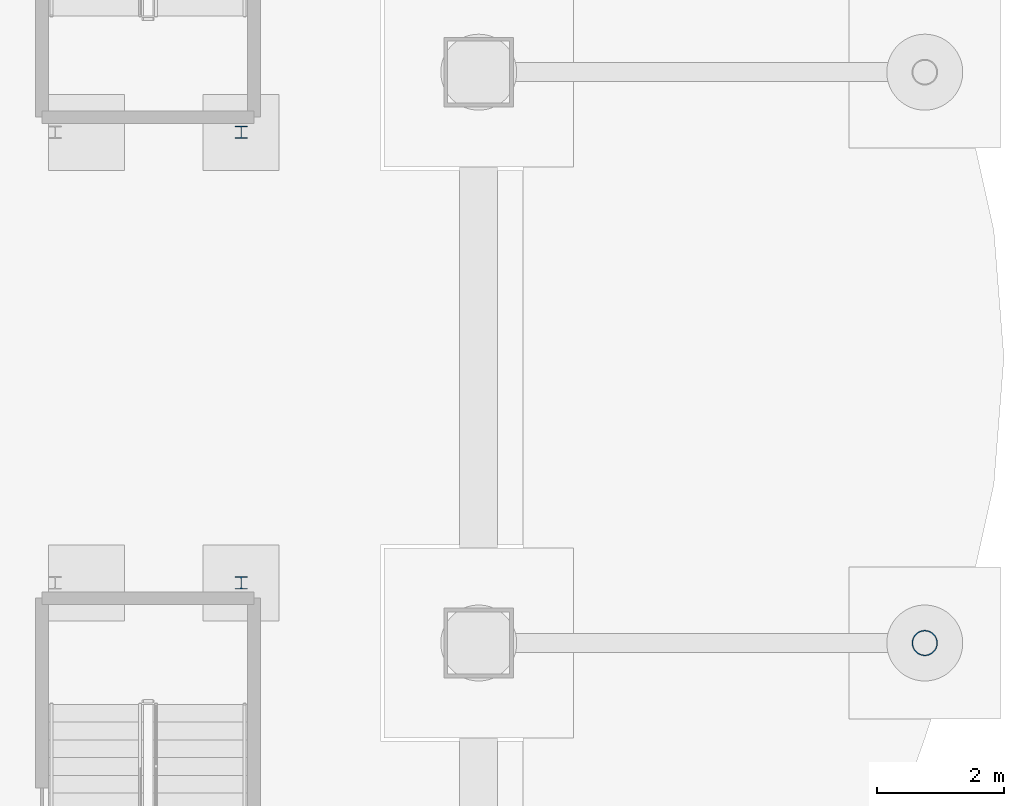
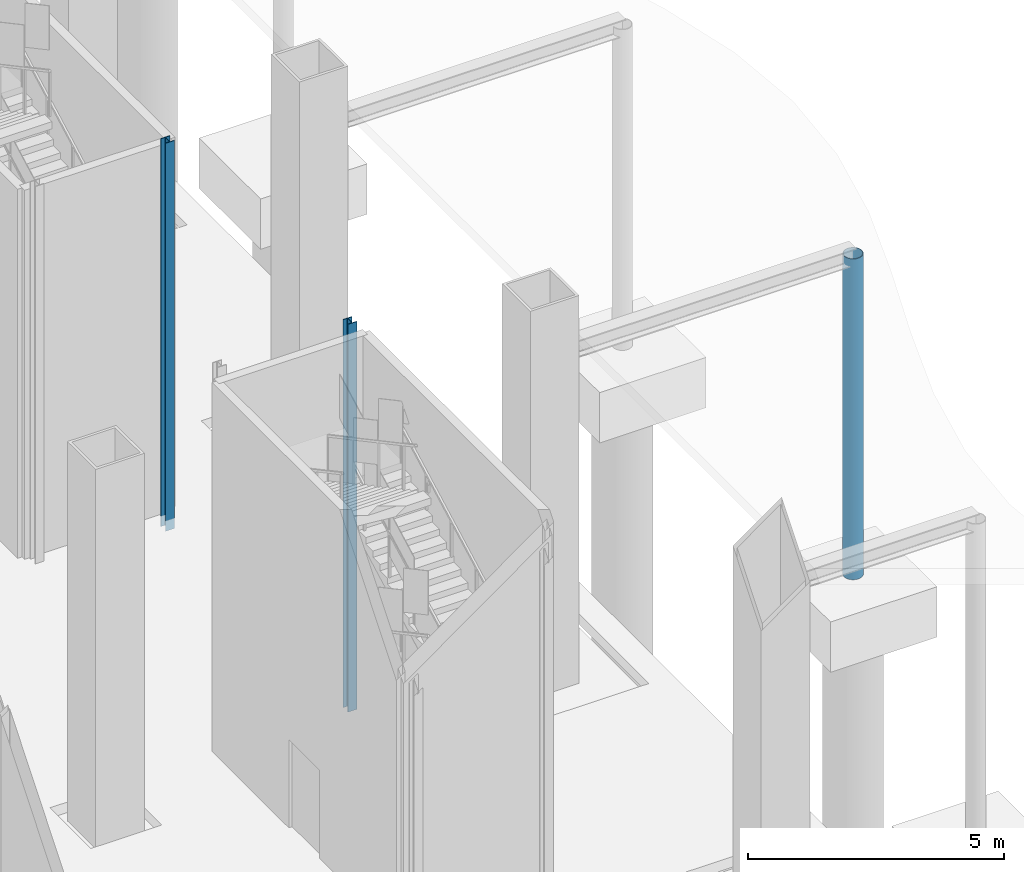
# One storey, part 9 of 38: 3 columns.
"""IFC4 building model written with IfcOpenShell, lengths in metres."""

from ifc_helpers import new_model, si_unit, direction, frame, origin, origin_2d, place, context, subcontext, project, spatial, hollow_circle, i_section, extrude, material, material_profile, profile_set, type_object, element, save


model = new_model("IFC4")

# Units and contexts
model_context = context("Model", 3, precision=1e-05, world=origin(), true_north=direction((0.0, 1.0)))
body_context = subcontext(model_context, "Body", "Model", "MODEL_VIEW")
ifc_project = project(units=[si_unit("LENGTHUNIT", "METRE"), si_unit("AREAUNIT", "SQUARE_METRE"), si_unit("VOLUMEUNIT", "CUBIC_METRE"), si_unit("PLANEANGLEUNIT", "RADIAN"), si_unit("MASSUNIT", "GRAM", prefix="KILO")], contexts=[model_context])

# Site, building, storey
site_placement = place(None, origin())
site = spatial("IfcSite", under=ifc_project, at=site_placement, CompositionType="ELEMENT")
building_placement = place(site_placement, origin())
building = spatial("IfcBuilding", under=site, at=building_placement, Name="Cairn Pilgrim Tower", CompositionType="ELEMENT")
storey_placement = place(building_placement, origin())
storey = spatial("IfcBuildingStorey", under=building, at=storey_placement, Name="L00", CompositionType="ELEMENT", Elevation=0.0)

# Columns
ifc_material_1 = material(Name="Structural steel S460M", Category="steel")
ifc_material_profile_1 = material_profile(ifc_material_1, hollow_circle(Radius=0.203125, WallThickness=0.01611328125, at=origin_2d()), Name="MARQUISE TIP COLUMN CHS 406x16")
ifc_profile_set_1 = profile_set([ifc_material_profile_1], Name="Structural steel S460M")
column_type_1 = type_object("IfcColumnType", Name="MARQUISE TIP COLUMN CHS 406x16", PredefinedType="COLUMN", material=ifc_profile_set_1)
column_placement = place(storey_placement, frame((44.84814453125, -4.51025390625, -0.25), z_axis=(0.0, 0.0, 1.0), x_axis=(1.0, 0.0, 0.0)))
element("IfcColumn", 1, at=column_placement, inside=storey, type_object=column_type_1, Name="MARQUISE TIP COLUMN E3", PredefinedType="COLUMN", context=body_context, shape_type="SweptSolid", body=[
    extrude(hollow_circle(Radius=0.203125, WallThickness=0.01611328125, at=origin_2d()), origin(), (0.0, 0.0, 1.0), 7.64990234375),
])
ifc_material_2 = material(Name="Structural steel S355J2", Category="steel")
ifc_material_profile_2 = material_profile(ifc_material_2, i_section(OverallWidth=0.199951171875, OverallDepth=0.199951171875, WebThickness=0.009033203125, FlangeThickness=0.014892578125, FilletRadius=0.01806640625, at=origin_2d()), Name="HE 200 B")
ifc_profile_set_2 = profile_set([ifc_material_profile_2], Name="Structural steel S355J2")
column_type_2 = type_object("IfcColumnType", Name="STAIR POST HE 200 B", PredefinedType="COLUMN", material=ifc_profile_set_2)
for number, where, z_axis, x_axis, name in (
    (2, (34.044921875, -3.56005859375, -0.25), (0.0, 0.0, 1.0), (1.0, 0.0, 0.0), "STAIR POST LP-ES2-NB"),
    (3, (34.044921875, 3.56005859375, -0.25), (0.0, 0.0, 1.0), (1.0, 0.0, 0.0), "STAIR POST LP-ES3-SB"),
):
    element("IfcColumn", number, at=place(storey_placement, frame(where, z_axis=z_axis, x_axis=x_axis)), inside=storey, type_object=column_type_2, Name=name, PredefinedType="COLUMN", context=body_context, shape_type="SweptSolid", body=[
        extrude(i_section(OverallWidth=0.199951171875, OverallDepth=0.199951171875, WebThickness=0.009033203125, FlangeThickness=0.014892578125, FilletRadius=0.01806640625, at=origin_2d()), origin(), (0.0, 0.0, 1.0), 9.25),
    ])

save(model, "model.ifc")
